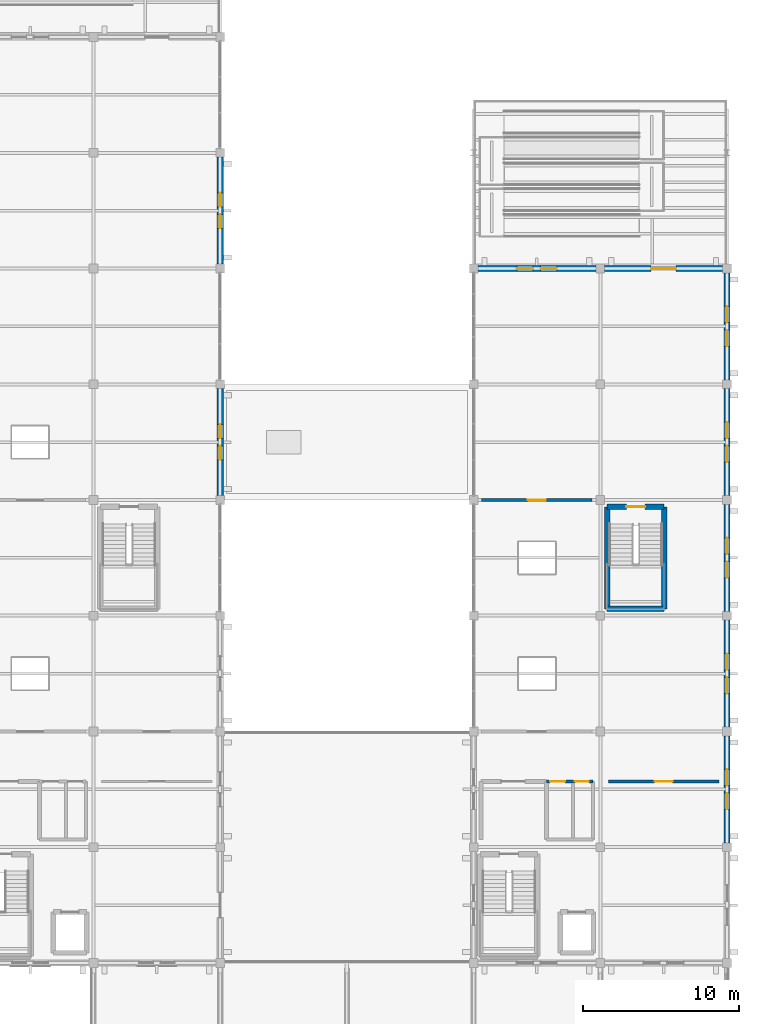
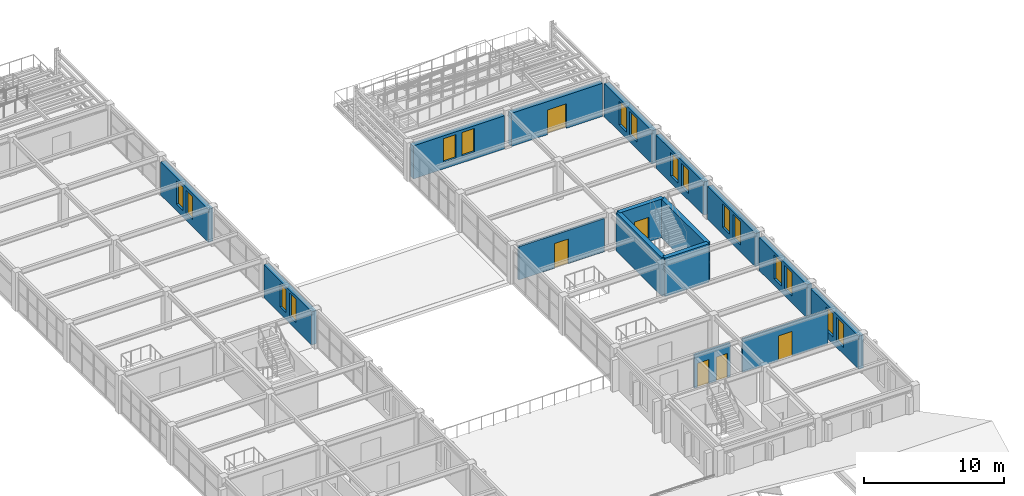
# One storey, part 108 of 121: 16 walls, 16 windows, 6 doors, 22 openings.
"""IFC4 building model written with IfcOpenShell, lengths in metres."""

from ifc_helpers import new_model, si_unit, direction, frame, frame_2d, origin, place, context, subcontext, project, spatial, rectangle, extrude, material, layer, layer_set, type_object, element, fill, save


model = new_model("IFC4")

# Units and contexts
model_context = context("Model", 3, precision=1e-05, world=origin(), true_north=direction((0.0, 1.0)))
body_context = subcontext(model_context, "Body", "Model", "MODEL_VIEW")
ifc_project = project(units=[si_unit("LENGTHUNIT", "METRE"), si_unit("AREAUNIT", "SQUARE_METRE"), si_unit("VOLUMEUNIT", "CUBIC_METRE"), si_unit("PLANEANGLEUNIT", "RADIAN"), si_unit("MASSUNIT", "GRAM", prefix="KILO")], contexts=[model_context])

# Site, building, storey
site_placement = place(None, origin())
site = spatial("IfcSite", under=ifc_project, at=site_placement, CompositionType="ELEMENT")
building_placement = place(site_placement, origin())
building = spatial("IfcBuilding", under=site, at=building_placement, Name="Cimatlan Art Gallery", CompositionType="ELEMENT")
storey_placement = place(building_placement, frame((0.0, 0.0, 10.199951171875)))
storey = spatial("IfcBuildingStorey", under=building, at=storey_placement, Name="L02", CompositionType="ELEMENT", Elevation=10.199951171875)

# Walls
ifc_material_1 = material(Name="Concrete C40/50", Category="concrete")
ifc_layer_1 = layer(ifc_material_1, 0.35009765625)
ifc_layer_set_1 = layer_set([ifc_layer_1], Name="Concrete C40/50")
wall_type_1 = type_object("IfcWallType", Name="W-CORE-350", PredefinedType="SHEAR", material=ifc_layer_set_1)
wall_1_placement = place(storey_placement, frame((156.340087890625, 46.5400390625, 0.0), z_axis=(0.0, 0.0, 1.0), x_axis=(0.0, 1.0, 0.0)))
element("IfcWall", 1, at=wall_1_placement, inside=storey, type_object=wall_type_1, Name="WL-CORE-C10-L02-SW", PredefinedType="SHEAR", context=body_context, shape_type="SweptSolid", body=[
    extrude(rectangle(XDim=6.52001953125, YDim=0.35009765625, at=frame_2d((3.260009765625, 0.0))), origin(), (0.0, 0.0, 1.0), 3.364990234375),
])
wall_2_placement = place(storey_placement, frame((156.340087890625, 46.5400390625, 0.0), z_axis=(0.0, 0.0, 1.0), x_axis=(1.0, 0.0, 0.0)))
element("IfcWall", 2, at=wall_2_placement, inside=storey, type_object=wall_type_1, Name="WL-CORE-C10-L02-SS", PredefinedType="SHEAR", context=body_context, shape_type="SweptSolid", body=[
    extrude(rectangle(XDim=3.639892578125, YDim=0.35009765625, at=frame_2d((1.81982421875, 0.0))), origin(), (0.0, 0.0, 1.0), 3.364990234375),
])
wall_3_placement = place(storey_placement, frame((159.97998046875, 46.5400390625, 0.0), z_axis=(0.0, 0.0, 1.0), x_axis=(0.0, 1.0, 0.0)))
element("IfcWall", 3, at=wall_3_placement, inside=storey, type_object=wall_type_1, Name="WL-CORE-C10-L02-SE", PredefinedType="SHEAR", context=body_context, shape_type="SweptSolid", body=[
    extrude(rectangle(XDim=6.52001953125, YDim=0.35009765625, at=frame_2d((3.260009765625, 0.0))), origin(), (0.0, 0.0, 1.0), 3.364990234375),
])

# Wall, opening, door
wall_4_placement = place(storey_placement, frame((156.340087890625, 53.06005859375, 0.0), z_axis=(0.0, 0.0, 1.0), x_axis=(1.0, 0.0, 0.0)))
wall_4 = element("IfcWall", 4, at=wall_4_placement, inside=storey, type_object=wall_type_1, Name="WL-CORE-C10-L02-SN", PredefinedType="SHEAR", context=body_context, shape_type="SweptSolid", body=[
    extrude(rectangle(XDim=3.639892578125, YDim=0.35009765625, at=frame_2d((1.81982421875, 0.0))), origin(), (0.0, 0.0, 1.0), 3.364990234375),
])
opening_1_placement = place(wall_4_placement, frame((1.219970703125, 0.0, 0.0)))
opening_1 = element("IfcOpeningElement", 5, at=opening_1_placement, cuts=wall_4, Name="Opening FD-C10-L02", PredefinedType="OPENING", context=body_context, shape_type="SweptSolid", body=[
    extrude(rectangle(XDim=1.199951171875, YDim=2.14990234375, at=frame_2d((0.60009765625, 1.074951171875))), frame((0.0, 0.18505859375, 0.0), z_axis=(0.0, -1.0, 0.0), x_axis=(1.0, 0.0, 0.0)), (0.0, 0.0, 1.0), 0.3701171875),
])
ifc_material_2 = material(Name="Fire-resisting steel acoustic stair door", Category="steel")
door_type_1 = type_object("IfcDoorType", Name="FD-ST-1200", OperationType="NOTDEFINED", PredefinedType="DOOR", material=ifc_material_2)
door_1_placement = place(opening_1_placement, origin())
door_1 = element("IfcDoor", 6, at=door_1_placement, inside=storey, type_object=door_type_1, Name="DR-C10-L02-ST", OperationType="SINGLE_SWING_LEFT", OverallHeight=2.14990234375, OverallWidth=1.199951171875, PredefinedType="DOOR", context=body_context, shape_type="SweptSolid", body=[
    extrude(rectangle(XDim=1.199951171875, YDim=2.14990234375, at=frame_2d((0.60009765625, 1.074951171875))), frame((0.0, 0.02490234375, 0.0), z_axis=(0.0, -1.0, 0.0), x_axis=(1.0, 0.0, 0.0)), (0.0, 0.0, 1.0), 0.050048828125),
])
fill(opening_1, door_1)

# Wall, openings, doors
ifc_material_3 = material(Name="Moisture-resistant fire-rated plumbing wall")
ifc_layer_2 = layer(ifc_material_3, 0.195068359375)
ifc_layer_set_2 = layer_set([ifc_layer_2], Name="Moisture-resistant fire-rated plumbing wall")
wall_type_2 = type_object("IfcWallType", Name="W-PLM-195", PredefinedType="PARTITIONING", material=ifc_layer_set_2)
wall_5_placement = place(storey_placement, frame((152.449951171875, 35.5, 0.0), z_axis=(0.0, 0.0, 1.0), x_axis=(1.0, 0.0, 0.0)))
wall_5 = element("IfcWall", 7, at=wall_5_placement, inside=storey, type_object=wall_type_2, Name="WL-WC-C5-L02-N", PredefinedType="PARTITIONING", context=body_context, shape_type="SweptSolid", body=[
    extrude(rectangle(XDim=2.969970703125, YDim=0.195068359375, at=frame_2d((1.48486328125, 0.0))), origin(), (0.0, 0.0, 1.0), 2.903076171875),
])
opening_2_placement = place(wall_5_placement, frame((0.25, 0.0, 0.0)))
opening_2 = element("IfcOpeningElement", 8, at=opening_2_placement, cuts=wall_5, Name="Opening DWC-C5A-L02", PredefinedType="OPENING", context=body_context, shape_type="SweptSolid", body=[
    extrude(rectangle(XDim=0.949951171875, YDim=2.10009765625, at=frame_2d((0.47509765625, 1.050048828125))), frame((0.0, 0.107421875, 0.0), z_axis=(0.0, -1.0, 0.0), x_axis=(1.0, 0.0, 0.0)), (0.0, 0.0, 1.0), 0.215087890625),
])
opening_3_placement = place(wall_5_placement, frame((1.820068359375, 0.0, 0.0)))
opening_3 = element("IfcOpeningElement", 9, at=opening_3_placement, cuts=wall_5, Name="Opening DWC-C5B-L02", PredefinedType="OPENING", context=body_context, shape_type="SweptSolid", body=[
    extrude(rectangle(XDim=0.89990234375, YDim=2.10009765625, at=frame_2d((0.449951171875, 1.050048828125))), frame((0.0, 0.107421875, 0.0), z_axis=(0.0, -1.0, 0.0), x_axis=(1.0, 0.0, 0.0)), (0.0, 0.0, 1.0), 0.215087890625),
])
ifc_material_4 = material(Name="Sanitary room door")
door_type_2 = type_object("IfcDoorType", Name="DI-WC-0900", OperationType="NOTDEFINED", PredefinedType="DOOR", material=ifc_material_4)
door_2_placement = place(opening_3_placement, origin())
door_2 = element("IfcDoor", 10, at=door_2_placement, inside=storey, type_object=door_type_2, Name="DR-PWC-C5-L02", OperationType="SINGLE_SWING_RIGHT", OverallHeight=2.10009765625, OverallWidth=0.89990234375, PredefinedType="DOOR", context=body_context, shape_type="SweptSolid", body=[
    extrude(rectangle(XDim=0.89990234375, YDim=2.10009765625, at=frame_2d((0.449951171875, 1.050048828125))), frame((0.0, 0.02490234375, 0.0), z_axis=(0.0, -1.0, 0.0), x_axis=(1.0, 0.0, 0.0)), (0.0, 0.0, 1.0), 0.050048828125),
])
fill(opening_3, door_2)
ifc_material_5 = material(Name="Accessible sanitary room door")
door_type_3 = type_object("IfcDoorType", Name="DI-WC-0950", OperationType="NOTDEFINED", PredefinedType="DOOR", material=ifc_material_5)
door_3_placement = place(opening_2_placement, origin())
door_3 = element("IfcDoor", 11, at=door_3_placement, inside=storey, type_object=door_type_3, Name="DR-AWC-C5-L02", OperationType="SINGLE_SWING_LEFT", OverallHeight=2.10009765625, OverallWidth=0.949951171875, PredefinedType="DOOR", context=body_context, shape_type="SweptSolid", body=[
    extrude(rectangle(XDim=0.949951171875, YDim=2.10009765625, at=frame_2d((0.47509765625, 1.050048828125))), frame((0.0, 0.02490234375, 0.0), z_axis=(0.0, -1.0, 0.0), x_axis=(1.0, 0.0, 0.0)), (0.0, 0.0, 1.0), 0.050048828125),
])
fill(opening_2, door_3)

# Wall, opening, door
ifc_material_6 = material(Name="Acoustic gypsum and steel stud partition", Category="steel")
ifc_layer_3 = layer(ifc_material_6, 0.179931640625)
ifc_layer_set_3 = layer_set([ifc_layer_3], Name="Acoustic gypsum and steel stud partition")
wall_type_3 = type_object("IfcWallType", Name="W-STD-180", PredefinedType="PARTITIONING", material=ifc_layer_set_3)
wall_6_placement = place(storey_placement, frame((156.419921875, 35.5, 0.0), z_axis=(0.0, 0.0, 1.0), x_axis=(1.0, 0.0, 0.0)))
wall_6 = element("IfcWall", 12, at=wall_6_placement, inside=storey, type_object=wall_type_3, Name="WL-RM-L02-STD-01", PredefinedType="PARTITIONING", context=body_context, shape_type="SweptSolid", body=[
    extrude(rectangle(XDim=7.06005859375, YDim=0.179931640625, at=frame_2d((3.530029296875, 0.0))), origin(), (0.0, 0.0, 1.0), 2.903076171875),
])
opening_4_placement = place(wall_6_placement, frame((2.955078125, 0.0, 0.0)))
opening_4 = element("IfcOpeningElement", 13, at=opening_4_placement, cuts=wall_6, Name="Opening DI-0238", PredefinedType="OPENING", context=body_context, shape_type="SweptSolid", body=[
    extrude(rectangle(XDim=1.14990234375, YDim=2.14990234375, at=frame_2d((0.574951171875, 1.074951171875))), frame((0.0, 0.10009765625, 0.0), z_axis=(0.0, -1.0, 0.0), x_axis=(1.0, 0.0, 0.0)), (0.0, 0.0, 1.0), 0.199951171875),
])
ifc_material_7 = material(Name="Solid oak artists' studio door")
door_type_4 = type_object("IfcDoorType", Name="DI-SD-1150", OperationType="NOTDEFINED", PredefinedType="DOOR", material=ifc_material_7)
door_4_placement = place(opening_4_placement, origin())
door_4 = element("IfcDoor", 14, at=door_4_placement, inside=storey, type_object=door_type_4, Name="DR-RM-L02-STD-01", OperationType="SINGLE_SWING_RIGHT", OverallHeight=2.14990234375, OverallWidth=1.14990234375, PredefinedType="DOOR", context=body_context, shape_type="SweptSolid", body=[
    extrude(rectangle(XDim=1.14990234375, YDim=2.14990234375, at=frame_2d((0.574951171875, 1.074951171875))), frame((0.0, 0.02490234375, 0.0), z_axis=(0.0, -1.0, 0.0), x_axis=(1.0, 0.0, 0.0)), (0.0, 0.0, 1.0), 0.050048828125),
])
fill(opening_4, door_4)

wall_7_placement = place(storey_placement, frame((148.320068359375, 53.5, 0.0), z_axis=(0.0, 0.0, 1.0), x_axis=(1.0, 0.0, 0.0)))
wall_7 = element("IfcWall", 15, at=wall_7_placement, inside=storey, type_object=wall_type_3, Name="WL-RM-L02-STD-02B", PredefinedType="PARTITIONING", context=body_context, shape_type="SweptSolid", body=[
    extrude(rectangle(XDim=7.059814453125, YDim=0.179931640625, at=frame_2d((3.52978515625, 0.0))), origin(), (0.0, 0.0, 1.0), 2.903076171875),
])
opening_5_placement = place(wall_7_placement, frame((2.955078125, 0.0, 0.0)))
opening_5 = element("IfcOpeningElement", 16, at=opening_5_placement, cuts=wall_7, Name="Opening DI-0240", PredefinedType="OPENING", context=body_context, shape_type="SweptSolid", body=[
    extrude(rectangle(XDim=1.14990234375, YDim=2.14990234375, at=frame_2d((0.574951171875, 1.074951171875))), frame((0.0, 0.10009765625, 0.0), z_axis=(0.0, -1.0, 0.0), x_axis=(1.0, 0.0, 0.0)), (0.0, 0.0, 1.0), 0.199951171875),
])
door_5_placement = place(opening_5_placement, origin())
door_5 = element("IfcDoor", 17, at=door_5_placement, inside=storey, type_object=door_type_4, Name="DR-RM-L02-STD-02B", OperationType="SINGLE_SWING_RIGHT", OverallHeight=2.14990234375, OverallWidth=1.14990234375, PredefinedType="DOOR", context=body_context, shape_type="SweptSolid", body=[
    extrude(rectangle(XDim=1.14990234375, YDim=2.14990234375, at=frame_2d((0.574951171875, 1.074951171875))), frame((0.0, 0.02490234375, 0.0), z_axis=(0.0, -1.0, 0.0), x_axis=(1.0, 0.0, 0.0)), (0.0, 0.0, 1.0), 0.050048828125),
])
fill(opening_5, door_5)

# Wall, openings, windows
ifc_material_8 = material(Name="Precast concrete C40/50", Category="concrete")
ifc_layer_4 = layer(ifc_material_8, 0.39990234375)
ifc_layer_set_4 = layer_set([ifc_layer_4], Name="Precast concrete C40/50")
wall_type_4 = type_object("IfcWallType", Name="WL-EXT-CAN-400", PredefinedType="SOLIDWALL", material=ifc_layer_set_4)
wall_8_placement = place(storey_placement, frame((131.60009765625, 60.62109375, 0.0), z_axis=(0.0, 0.0, 1.0), x_axis=(0.0, -1.0, 0.0)))
wall_8 = element("IfcWall", 18, at=wall_8_placement, inside=storey, type_object=wall_type_4, Name="WL-EXT-L02-15-07-E", PredefinedType="SOLIDWALL", context=body_context, shape_type="SweptSolid", body=[
    extrude(rectangle(XDim=6.842041015625, YDim=0.39990234375, at=frame_2d((3.4208984375, 0.0))), origin(), (0.0, 0.0, 1.0), 2.89794921875),
])
opening_6_placement = place(wall_8_placement, frame((2.281005859375, 0.0, 0.60009765625)))
opening_6 = element("IfcOpeningElement", 19, at=opening_6_placement, cuts=wall_8, Name="Opening WN-0181", PredefinedType="OPENING", context=body_context, shape_type="SweptSolid", body=[
    extrude(rectangle(XDim=0.89990234375, YDim=2.0400390625, at=frame_2d((0.449951171875, 1.02001953125))), frame((0.0, 0.2099609375, 0.0), z_axis=(0.0, -1.0, 0.0), x_axis=(1.0, 0.0, 0.0)), (0.0, 0.0, 1.0), 0.419921875),
])
opening_7_placement = place(wall_8_placement, frame((3.660888671875, 0.0, 0.60009765625)))
opening_7 = element("IfcOpeningElement", 20, at=opening_7_placement, cuts=wall_8, Name="Opening WN-0182", PredefinedType="OPENING", context=body_context, shape_type="SweptSolid", body=[
    extrude(rectangle(XDim=0.89990234375, YDim=2.0400390625, at=frame_2d((0.449951171875, 1.02001953125))), frame((0.0, 0.2099609375, 0.0), z_axis=(0.0, -1.0, 0.0), x_axis=(1.0, 0.0, 0.0)), (0.0, 0.0, 1.0), 0.419921875),
])
ifc_material_9 = material(Name="Low-E laminated double glazing in bronze lancet frame", Category="glass")
window_type_1 = type_object("IfcWindowType", Name="WIN-PAV-E2-0900X2040", PartitioningType="SINGLE_PANEL", PredefinedType="WINDOW", material=ifc_material_9)
window_1_placement = place(opening_6_placement, origin())
window_1 = element("IfcWindow", 21, at=window_1_placement, inside=storey, type_object=window_type_1, Name="WIN-0181", OverallHeight=2.0400390625, OverallWidth=0.89990234375, PartitioningType="SINGLE_PANEL", PredefinedType="WINDOW", context=body_context, shape_type="SweptSolid", body=[
    extrude(rectangle(XDim=0.89990234375, YDim=2.0400390625, at=frame_2d((0.449951171875, 1.02001953125))), frame((0.0, 0.030029296875, 0.0), z_axis=(0.0, -1.0, 0.0), x_axis=(1.0, 0.0, 0.0)), (0.0, 0.0, 1.0), 0.06005859375),
])
fill(opening_6, window_1)
window_2_placement = place(opening_7_placement, origin())
window_2 = element("IfcWindow", 22, at=window_2_placement, inside=storey, type_object=window_type_1, Name="WIN-0182", OverallHeight=2.0400390625, OverallWidth=0.89990234375, PartitioningType="SINGLE_PANEL", PredefinedType="WINDOW", context=body_context, shape_type="SweptSolid", body=[
    extrude(rectangle(XDim=0.89990234375, YDim=2.0400390625, at=frame_2d((0.449951171875, 1.02001953125))), frame((0.0, 0.030029296875, 0.0), z_axis=(0.0, -1.0, 0.0), x_axis=(1.0, 0.0, 0.0)), (0.0, 0.0, 1.0), 0.06005859375),
])
fill(opening_7, window_2)

wall_9_placement = place(storey_placement, frame((131.60009765625, 75.4208984375, 0.0), z_axis=(0.0, 0.0, 1.0), x_axis=(0.0, -1.0, 0.0)))
wall_9 = element("IfcWall", 23, at=wall_9_placement, inside=storey, type_object=wall_type_4, Name="WL-EXT-L02-15-09-E", PredefinedType="SOLIDWALL", context=body_context, shape_type="SweptSolid", body=[
    extrude(rectangle(XDim=6.841796875, YDim=0.39990234375, at=frame_2d((3.4208984375, 0.0))), origin(), (0.0, 0.0, 1.0), 2.89794921875),
])
opening_8_placement = place(wall_9_placement, frame((2.281005859375, 0.0, 0.60009765625)))
opening_8 = element("IfcOpeningElement", 24, at=opening_8_placement, cuts=wall_9, Name="Opening WN-0183", PredefinedType="OPENING", context=body_context, shape_type="SweptSolid", body=[
    extrude(rectangle(XDim=0.89990234375, YDim=2.0400390625, at=frame_2d((0.449951171875, 1.02001953125))), frame((0.0, 0.2099609375, 0.0), z_axis=(0.0, -1.0, 0.0), x_axis=(1.0, 0.0, 0.0)), (0.0, 0.0, 1.0), 0.419921875),
])
opening_9_placement = place(wall_9_placement, frame((3.660888671875, 0.0, 0.60009765625)))
opening_9 = element("IfcOpeningElement", 25, at=opening_9_placement, cuts=wall_9, Name="Opening WN-0184", PredefinedType="OPENING", context=body_context, shape_type="SweptSolid", body=[
    extrude(rectangle(XDim=0.89990234375, YDim=2.0400390625, at=frame_2d((0.449951171875, 1.02001953125))), frame((0.0, 0.2099609375, 0.0), z_axis=(0.0, -1.0, 0.0), x_axis=(1.0, 0.0, 0.0)), (0.0, 0.0, 1.0), 0.419921875),
])
window_3_placement = place(opening_8_placement, origin())
window_3 = element("IfcWindow", 26, at=window_3_placement, inside=storey, type_object=window_type_1, Name="WIN-0183", OverallHeight=2.0400390625, OverallWidth=0.89990234375, PartitioningType="SINGLE_PANEL", PredefinedType="WINDOW", context=body_context, shape_type="SweptSolid", body=[
    extrude(rectangle(XDim=0.89990234375, YDim=2.0400390625, at=frame_2d((0.449951171875, 1.02001953125))), frame((0.0, 0.030029296875, 0.0), z_axis=(0.0, -1.0, 0.0), x_axis=(1.0, 0.0, 0.0)), (0.0, 0.0, 1.0), 0.06005859375),
])
fill(opening_8, window_3)
window_4_placement = place(opening_9_placement, origin())
window_4 = element("IfcWindow", 27, at=window_4_placement, inside=storey, type_object=window_type_1, Name="WIN-0184", OverallHeight=2.0400390625, OverallWidth=0.89990234375, PartitioningType="SINGLE_PANEL", PredefinedType="WINDOW", context=body_context, shape_type="SweptSolid", body=[
    extrude(rectangle(XDim=0.89990234375, YDim=2.0400390625, at=frame_2d((0.449951171875, 1.02001953125))), frame((0.0, 0.030029296875, 0.0), z_axis=(0.0, -1.0, 0.0), x_axis=(1.0, 0.0, 0.0)), (0.0, 0.0, 1.0), 0.06005859375),
])
fill(opening_9, window_4)

wall_10_placement = place(storey_placement, frame((148.0791015625, 68.300048828125, 0.0), z_axis=(0.0, 0.0, 1.0), x_axis=(1.0, 0.0, 0.0)))
wall_10 = element("IfcWall", 28, at=wall_10_placement, inside=storey, type_object=wall_type_4, Name="WL-EXT-L02-18-08-N", PredefinedType="SOLIDWALL", context=body_context, shape_type="SweptSolid", body=[
    extrude(rectangle(XDim=7.5419921875, YDim=0.39990234375, at=frame_2d((3.77099609375, 0.0))), origin(), (0.0, 0.0, 1.0), 2.89794921875),
])
opening_10_placement = place(wall_10_placement, frame((2.490966796875, 0.0, 0.60009765625)))
opening_10 = element("IfcOpeningElement", 29, at=opening_10_placement, cuts=wall_10, Name="Opening WN-0191", PredefinedType="OPENING", context=body_context, shape_type="SweptSolid", body=[
    extrude(rectangle(XDim=1.0400390625, YDim=2.06005859375, at=frame_2d((0.52001953125, 1.030029296875))), frame((0.0, 0.2099609375, 0.0), z_axis=(0.0, -1.0, 0.0), x_axis=(1.0, 0.0, 0.0)), (0.0, 0.0, 1.0), 0.419921875),
])
opening_11_placement = place(wall_10_placement, frame((4.010986328125, 0.0, 0.60009765625)))
opening_11 = element("IfcOpeningElement", 30, at=opening_11_placement, cuts=wall_10, Name="Opening WN-0192", PredefinedType="OPENING", context=body_context, shape_type="SweptSolid", body=[
    extrude(rectangle(XDim=1.0400390625, YDim=2.06005859375, at=frame_2d((0.52001953125, 1.030029296875))), frame((0.0, 0.2099609375, 0.0), z_axis=(0.0, -1.0, 0.0), x_axis=(1.0, 0.0, 0.0)), (0.0, 0.0, 1.0), 0.419921875),
])
window_type_2 = type_object("IfcWindowType", Name="WIN-STD-L02-1040X2060", PartitioningType="SINGLE_PANEL", PredefinedType="WINDOW", material=ifc_material_9)
window_5_placement = place(opening_10_placement, origin())
window_5 = element("IfcWindow", 31, at=window_5_placement, inside=storey, type_object=window_type_2, Name="WIN-0191", OverallHeight=2.06005859375, OverallWidth=1.0400390625, PartitioningType="SINGLE_PANEL", PredefinedType="WINDOW", context=body_context, shape_type="SweptSolid", body=[
    extrude(rectangle(XDim=1.0400390625, YDim=2.06005859375, at=frame_2d((0.52001953125, 1.030029296875))), frame((0.0, 0.030029296875, 0.0), z_axis=(0.0, -1.0, 0.0), x_axis=(1.0, 0.0, 0.0)), (0.0, 0.0, 1.0), 0.06005859375),
])
fill(opening_10, window_5)
window_6_placement = place(opening_11_placement, origin())
window_6 = element("IfcWindow", 32, at=window_6_placement, inside=storey, type_object=window_type_2, Name="WIN-0192", OverallHeight=2.06005859375, OverallWidth=1.0400390625, PartitioningType="SINGLE_PANEL", PredefinedType="WINDOW", context=body_context, shape_type="SweptSolid", body=[
    extrude(rectangle(XDim=1.0400390625, YDim=2.06005859375, at=frame_2d((0.52001953125, 1.030029296875))), frame((0.0, 0.030029296875, 0.0), z_axis=(0.0, -1.0, 0.0), x_axis=(1.0, 0.0, 0.0)), (0.0, 0.0, 1.0), 0.06005859375),
])
fill(opening_11, window_6)

wall_11_placement = place(storey_placement, frame((164.0, 38.4208984375, 0.0), z_axis=(0.0, 0.0, 1.0), x_axis=(0.0, -1.0, 0.0)))
wall_11 = element("IfcWall", 33, at=wall_11_placement, inside=storey, type_object=wall_type_4, Name="WL-EXT-L02-19-04-E", PredefinedType="SOLIDWALL", context=body_context, shape_type="SweptSolid", body=[
    extrude(rectangle(XDim=6.841796875, YDim=0.39990234375, at=frame_2d((3.4208984375, 0.0))), origin(), (0.0, 0.0, 1.0), 2.89794921875),
])
opening_12_placement = place(wall_11_placement, frame((2.14111328125, 0.0, 0.60009765625)))
opening_12 = element("IfcOpeningElement", 34, at=opening_12_placement, cuts=wall_11, Name="Opening WN-0197", PredefinedType="OPENING", context=body_context, shape_type="SweptSolid", body=[
    extrude(rectangle(XDim=1.0400390625, YDim=2.06005859375, at=frame_2d((0.52001953125, 1.030029296875))), frame((0.0, 0.2099609375, 0.0), z_axis=(0.0, -1.0, 0.0), x_axis=(1.0, 0.0, 0.0)), (0.0, 0.0, 1.0), 0.419921875),
])
opening_13_placement = place(wall_11_placement, frame((3.660888671875, 0.0, 0.60009765625)))
opening_13 = element("IfcOpeningElement", 35, at=opening_13_placement, cuts=wall_11, Name="Opening WN-0198", PredefinedType="OPENING", context=body_context, shape_type="SweptSolid", body=[
    extrude(rectangle(XDim=1.0400390625, YDim=2.06005859375, at=frame_2d((0.52001953125, 1.030029296875))), frame((0.0, 0.2099609375, 0.0), z_axis=(0.0, -1.0, 0.0), x_axis=(1.0, 0.0, 0.0)), (0.0, 0.0, 1.0), 0.419921875),
])
window_7_placement = place(opening_12_placement, origin())
window_7 = element("IfcWindow", 36, at=window_7_placement, inside=storey, type_object=window_type_2, Name="WIN-0197", OverallHeight=2.06005859375, OverallWidth=1.0400390625, PartitioningType="SINGLE_PANEL", PredefinedType="WINDOW", context=body_context, shape_type="SweptSolid", body=[
    extrude(rectangle(XDim=1.0400390625, YDim=2.06005859375, at=frame_2d((0.52001953125, 1.030029296875))), frame((0.0, 0.030029296875, 0.0), z_axis=(0.0, -1.0, 0.0), x_axis=(1.0, 0.0, 0.0)), (0.0, 0.0, 1.0), 0.06005859375),
])
fill(opening_12, window_7)
window_8_placement = place(opening_13_placement, origin())
window_8 = element("IfcWindow", 37, at=window_8_placement, inside=storey, type_object=window_type_2, Name="WIN-0198", OverallHeight=2.06005859375, OverallWidth=1.0400390625, PartitioningType="SINGLE_PANEL", PredefinedType="WINDOW", context=body_context, shape_type="SweptSolid", body=[
    extrude(rectangle(XDim=1.0400390625, YDim=2.06005859375, at=frame_2d((0.52001953125, 1.030029296875))), frame((0.0, 0.030029296875, 0.0), z_axis=(0.0, -1.0, 0.0), x_axis=(1.0, 0.0, 0.0)), (0.0, 0.0, 1.0), 0.06005859375),
])
fill(opening_13, window_8)

wall_12_placement = place(storey_placement, frame((164.0, 45.821044921875, 0.0), z_axis=(0.0, 0.0, 1.0), x_axis=(0.0, -1.0, 0.0)))
wall_12 = element("IfcWall", 38, at=wall_12_placement, inside=storey, type_object=wall_type_4, Name="WL-EXT-L02-19-05-E", PredefinedType="SOLIDWALL", context=body_context, shape_type="SweptSolid", body=[
    extrude(rectangle(XDim=6.842041015625, YDim=0.39990234375, at=frame_2d((3.4208984375, 0.0))), origin(), (0.0, 0.0, 1.0), 2.89794921875),
])
opening_14_placement = place(wall_12_placement, frame((2.14111328125, 0.0, 0.60009765625)))
opening_14 = element("IfcOpeningElement", 39, at=opening_14_placement, cuts=wall_12, Name="Opening WN-0199", PredefinedType="OPENING", context=body_context, shape_type="SweptSolid", body=[
    extrude(rectangle(XDim=1.0400390625, YDim=2.06005859375, at=frame_2d((0.52001953125, 1.030029296875))), frame((0.0, 0.2099609375, 0.0), z_axis=(0.0, -1.0, 0.0), x_axis=(1.0, 0.0, 0.0)), (0.0, 0.0, 1.0), 0.419921875),
])
opening_15_placement = place(wall_12_placement, frame((3.660888671875, 0.0, 0.60009765625)))
opening_15 = element("IfcOpeningElement", 40, at=opening_15_placement, cuts=wall_12, Name="Opening WN-0200", PredefinedType="OPENING", context=body_context, shape_type="SweptSolid", body=[
    extrude(rectangle(XDim=1.0400390625, YDim=2.06005859375, at=frame_2d((0.52001953125, 1.030029296875))), frame((0.0, 0.2099609375, 0.0), z_axis=(0.0, -1.0, 0.0), x_axis=(1.0, 0.0, 0.0)), (0.0, 0.0, 1.0), 0.419921875),
])
window_9_placement = place(opening_14_placement, origin())
window_9 = element("IfcWindow", 41, at=window_9_placement, inside=storey, type_object=window_type_2, Name="WIN-0199", OverallHeight=2.06005859375, OverallWidth=1.0400390625, PartitioningType="SINGLE_PANEL", PredefinedType="WINDOW", context=body_context, shape_type="SweptSolid", body=[
    extrude(rectangle(XDim=1.0400390625, YDim=2.06005859375, at=frame_2d((0.52001953125, 1.030029296875))), frame((0.0, 0.030029296875, 0.0), z_axis=(0.0, -1.0, 0.0), x_axis=(1.0, 0.0, 0.0)), (0.0, 0.0, 1.0), 0.06005859375),
])
fill(opening_14, window_9)
window_10_placement = place(opening_15_placement, origin())
window_10 = element("IfcWindow", 42, at=window_10_placement, inside=storey, type_object=window_type_2, Name="WIN-0200", OverallHeight=2.06005859375, OverallWidth=1.0400390625, PartitioningType="SINGLE_PANEL", PredefinedType="WINDOW", context=body_context, shape_type="SweptSolid", body=[
    extrude(rectangle(XDim=1.0400390625, YDim=2.06005859375, at=frame_2d((0.52001953125, 1.030029296875))), frame((0.0, 0.030029296875, 0.0), z_axis=(0.0, -1.0, 0.0), x_axis=(1.0, 0.0, 0.0)), (0.0, 0.0, 1.0), 0.06005859375),
])
fill(opening_15, window_10)

wall_13_placement = place(storey_placement, frame((164.0, 53.220947265625, 0.0), z_axis=(0.0, 0.0, 1.0), x_axis=(0.0, -1.0, 0.0)))
wall_13 = element("IfcWall", 43, at=wall_13_placement, inside=storey, type_object=wall_type_4, Name="WL-EXT-L02-19-06-E", PredefinedType="SOLIDWALL", context=body_context, shape_type="SweptSolid", body=[
    extrude(rectangle(XDim=6.842041015625, YDim=0.39990234375, at=frame_2d((3.4208984375, 0.0))), origin(), (0.0, 0.0, 1.0), 2.89794921875),
])
opening_16_placement = place(wall_13_placement, frame((2.14111328125, 0.0, 0.60009765625)))
opening_16 = element("IfcOpeningElement", 44, at=opening_16_placement, cuts=wall_13, Name="Opening WN-0201", PredefinedType="OPENING", context=body_context, shape_type="SweptSolid", body=[
    extrude(rectangle(XDim=1.0400390625, YDim=2.06005859375, at=frame_2d((0.52001953125, 1.030029296875))), frame((0.0, 0.2099609375, 0.0), z_axis=(0.0, -1.0, 0.0), x_axis=(1.0, 0.0, 0.0)), (0.0, 0.0, 1.0), 0.419921875),
])
opening_17_placement = place(wall_13_placement, frame((3.660888671875, 0.0, 0.60009765625)))
opening_17 = element("IfcOpeningElement", 45, at=opening_17_placement, cuts=wall_13, Name="Opening WN-0202", PredefinedType="OPENING", context=body_context, shape_type="SweptSolid", body=[
    extrude(rectangle(XDim=1.0400390625, YDim=2.06005859375, at=frame_2d((0.52001953125, 1.030029296875))), frame((0.0, 0.2099609375, 0.0), z_axis=(0.0, -1.0, 0.0), x_axis=(1.0, 0.0, 0.0)), (0.0, 0.0, 1.0), 0.419921875),
])
window_11_placement = place(opening_16_placement, origin())
window_11 = element("IfcWindow", 46, at=window_11_placement, inside=storey, type_object=window_type_2, Name="WIN-0201", OverallHeight=2.06005859375, OverallWidth=1.0400390625, PartitioningType="SINGLE_PANEL", PredefinedType="WINDOW", context=body_context, shape_type="SweptSolid", body=[
    extrude(rectangle(XDim=1.0400390625, YDim=2.06005859375, at=frame_2d((0.52001953125, 1.030029296875))), frame((0.0, 0.030029296875, 0.0), z_axis=(0.0, -1.0, 0.0), x_axis=(1.0, 0.0, 0.0)), (0.0, 0.0, 1.0), 0.06005859375),
])
fill(opening_16, window_11)
window_12_placement = place(opening_17_placement, origin())
window_12 = element("IfcWindow", 47, at=window_12_placement, inside=storey, type_object=window_type_2, Name="WIN-0202", OverallHeight=2.06005859375, OverallWidth=1.0400390625, PartitioningType="SINGLE_PANEL", PredefinedType="WINDOW", context=body_context, shape_type="SweptSolid", body=[
    extrude(rectangle(XDim=1.0400390625, YDim=2.06005859375, at=frame_2d((0.52001953125, 1.030029296875))), frame((0.0, 0.030029296875, 0.0), z_axis=(0.0, -1.0, 0.0), x_axis=(1.0, 0.0, 0.0)), (0.0, 0.0, 1.0), 0.06005859375),
])
fill(opening_17, window_12)

wall_14_placement = place(storey_placement, frame((164.0, 60.62109375, 0.0), z_axis=(0.0, 0.0, 1.0), x_axis=(0.0, -1.0, 0.0)))
wall_14 = element("IfcWall", 48, at=wall_14_placement, inside=storey, type_object=wall_type_4, Name="WL-EXT-L02-19-07-E", PredefinedType="SOLIDWALL", context=body_context, shape_type="SweptSolid", body=[
    extrude(rectangle(XDim=6.842041015625, YDim=0.39990234375, at=frame_2d((3.4208984375, 0.0))), origin(), (0.0, 0.0, 1.0), 2.89794921875),
])
opening_18_placement = place(wall_14_placement, frame((2.14111328125, 0.0, 0.60009765625)))
opening_18 = element("IfcOpeningElement", 49, at=opening_18_placement, cuts=wall_14, Name="Opening WN-0203", PredefinedType="OPENING", context=body_context, shape_type="SweptSolid", body=[
    extrude(rectangle(XDim=1.0400390625, YDim=2.06005859375, at=frame_2d((0.52001953125, 1.030029296875))), frame((0.0, 0.2099609375, 0.0), z_axis=(0.0, -1.0, 0.0), x_axis=(1.0, 0.0, 0.0)), (0.0, 0.0, 1.0), 0.419921875),
])
opening_19_placement = place(wall_14_placement, frame((3.660888671875, 0.0, 0.60009765625)))
opening_19 = element("IfcOpeningElement", 50, at=opening_19_placement, cuts=wall_14, Name="Opening WN-0204", PredefinedType="OPENING", context=body_context, shape_type="SweptSolid", body=[
    extrude(rectangle(XDim=1.0400390625, YDim=2.06005859375, at=frame_2d((0.52001953125, 1.030029296875))), frame((0.0, 0.2099609375, 0.0), z_axis=(0.0, -1.0, 0.0), x_axis=(1.0, 0.0, 0.0)), (0.0, 0.0, 1.0), 0.419921875),
])
window_13_placement = place(opening_18_placement, origin())
window_13 = element("IfcWindow", 51, at=window_13_placement, inside=storey, type_object=window_type_2, Name="WIN-0203", OverallHeight=2.06005859375, OverallWidth=1.0400390625, PartitioningType="SINGLE_PANEL", PredefinedType="WINDOW", context=body_context, shape_type="SweptSolid", body=[
    extrude(rectangle(XDim=1.0400390625, YDim=2.06005859375, at=frame_2d((0.52001953125, 1.030029296875))), frame((0.0, 0.030029296875, 0.0), z_axis=(0.0, -1.0, 0.0), x_axis=(1.0, 0.0, 0.0)), (0.0, 0.0, 1.0), 0.06005859375),
])
fill(opening_18, window_13)
window_14_placement = place(opening_19_placement, origin())
window_14 = element("IfcWindow", 52, at=window_14_placement, inside=storey, type_object=window_type_2, Name="WIN-0204", OverallHeight=2.06005859375, OverallWidth=1.0400390625, PartitioningType="SINGLE_PANEL", PredefinedType="WINDOW", context=body_context, shape_type="SweptSolid", body=[
    extrude(rectangle(XDim=1.0400390625, YDim=2.06005859375, at=frame_2d((0.52001953125, 1.030029296875))), frame((0.0, 0.030029296875, 0.0), z_axis=(0.0, -1.0, 0.0), x_axis=(1.0, 0.0, 0.0)), (0.0, 0.0, 1.0), 0.06005859375),
])
fill(opening_19, window_14)

# Wall, opening, door
wall_15_placement = place(storey_placement, frame((156.178955078125, 68.300048828125, 0.0), z_axis=(0.0, 0.0, 1.0), x_axis=(1.0, 0.0, 0.0)))
wall_15 = element("IfcWall", 53, at=wall_15_placement, inside=storey, type_object=wall_type_4, Name="WL-EXT-L02-19-08-N", PredefinedType="SOLIDWALL", context=body_context, shape_type="SweptSolid", body=[
    extrude(rectangle(XDim=7.5419921875, YDim=0.39990234375, at=frame_2d((3.77099609375, 0.0))), origin(), (0.0, 0.0, 1.0), 2.89794921875),
])
opening_20_placement = place(wall_15_placement, frame((2.970947265625, 0.0, 0.0)))
opening_20 = element("IfcOpeningElement", 54, at=opening_20_placement, cuts=wall_15, Name="Opening D-L02-T05", PredefinedType="OPENING", context=body_context, shape_type="SweptSolid", body=[
    extrude(rectangle(XDim=1.60009765625, YDim=2.14990234375, at=frame_2d((0.800048828125, 1.074951171875))), frame((0.0, 0.2099609375, 0.0), z_axis=(0.0, -1.0, 0.0), x_axis=(1.0, 0.0, 0.0)), (0.0, 0.0, 1.0), 0.419921875),
])
ifc_material_10 = material(Name="Anodised bronze and laminated safety glass door", Category="glass")
door_type_5 = type_object("IfcDoorType", Name="DE-TR-1600", OperationType="NOTDEFINED", PredefinedType="DOOR", material=ifc_material_10)
door_6_placement = place(opening_20_placement, origin())
door_6 = element("IfcDoor", 55, at=door_6_placement, inside=storey, type_object=door_type_5, Name="D-L02-T05", OperationType="SINGLE_SWING_RIGHT", OverallHeight=2.14990234375, OverallWidth=1.60009765625, PredefinedType="DOOR", context=body_context, shape_type="SweptSolid", body=[
    extrude(rectangle(XDim=1.60009765625, YDim=2.14990234375, at=frame_2d((0.800048828125, 1.074951171875))), frame((0.0, 0.02490234375, 0.0), z_axis=(0.0, -1.0, 0.0), x_axis=(1.0, 0.0, 0.0)), (0.0, 0.0, 1.0), 0.050048828125),
])
fill(opening_20, door_6)

# Wall, openings, windows
wall_16_placement = place(storey_placement, frame((164.0, 68.02099609375, 0.0), z_axis=(0.0, 0.0, 1.0), x_axis=(0.0, -1.0, 0.0)))
wall_16 = element("IfcWall", 56, at=wall_16_placement, inside=storey, type_object=wall_type_4, Name="WL-EXT-L02-19-08-E", PredefinedType="SOLIDWALL", context=body_context, shape_type="SweptSolid", body=[
    extrude(rectangle(XDim=6.842041015625, YDim=0.39990234375, at=frame_2d((3.4208984375, 0.0))), origin(), (0.0, 0.0, 1.0), 2.89794921875),
])
opening_21_placement = place(wall_16_placement, frame((2.14111328125, 0.0, 0.60009765625)))
opening_21 = element("IfcOpeningElement", 57, at=opening_21_placement, cuts=wall_16, Name="Opening WN-0205", PredefinedType="OPENING", context=body_context, shape_type="SweptSolid", body=[
    extrude(rectangle(XDim=1.0400390625, YDim=2.06005859375, at=frame_2d((0.52001953125, 1.030029296875))), frame((0.0, 0.2099609375, 0.0), z_axis=(0.0, -1.0, 0.0), x_axis=(1.0, 0.0, 0.0)), (0.0, 0.0, 1.0), 0.419921875),
])
opening_22_placement = place(wall_16_placement, frame((3.660888671875, 0.0, 0.60009765625)))
opening_22 = element("IfcOpeningElement", 58, at=opening_22_placement, cuts=wall_16, Name="Opening WN-0206", PredefinedType="OPENING", context=body_context, shape_type="SweptSolid", body=[
    extrude(rectangle(XDim=1.0400390625, YDim=2.06005859375, at=frame_2d((0.52001953125, 1.030029296875))), frame((0.0, 0.2099609375, 0.0), z_axis=(0.0, -1.0, 0.0), x_axis=(1.0, 0.0, 0.0)), (0.0, 0.0, 1.0), 0.419921875),
])
window_15_placement = place(opening_21_placement, origin())
window_15 = element("IfcWindow", 59, at=window_15_placement, inside=storey, type_object=window_type_2, Name="WIN-0205", OverallHeight=2.06005859375, OverallWidth=1.0400390625, PartitioningType="SINGLE_PANEL", PredefinedType="WINDOW", context=body_context, shape_type="SweptSolid", body=[
    extrude(rectangle(XDim=1.0400390625, YDim=2.06005859375, at=frame_2d((0.52001953125, 1.030029296875))), frame((0.0, 0.030029296875, 0.0), z_axis=(0.0, -1.0, 0.0), x_axis=(1.0, 0.0, 0.0)), (0.0, 0.0, 1.0), 0.06005859375),
])
fill(opening_21, window_15)
window_16_placement = place(opening_22_placement, origin())
window_16 = element("IfcWindow", 60, at=window_16_placement, inside=storey, type_object=window_type_2, Name="WIN-0206", OverallHeight=2.06005859375, OverallWidth=1.0400390625, PartitioningType="SINGLE_PANEL", PredefinedType="WINDOW", context=body_context, shape_type="SweptSolid", body=[
    extrude(rectangle(XDim=1.0400390625, YDim=2.06005859375, at=frame_2d((0.52001953125, 1.030029296875))), frame((0.0, 0.030029296875, 0.0), z_axis=(0.0, -1.0, 0.0), x_axis=(1.0, 0.0, 0.0)), (0.0, 0.0, 1.0), 0.06005859375),
])
fill(opening_22, window_16)

save(model, "model.ifc")
